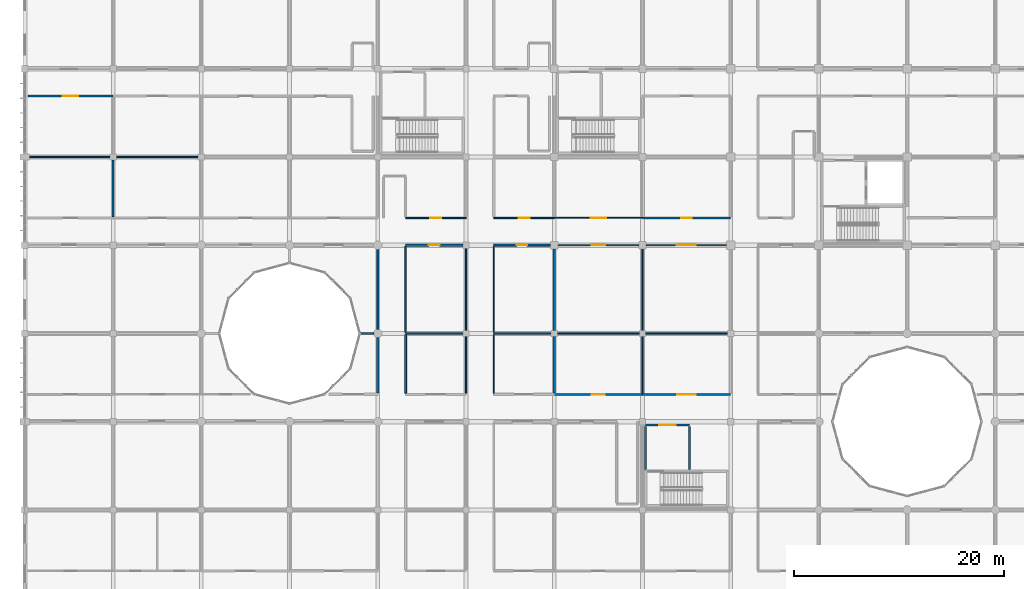
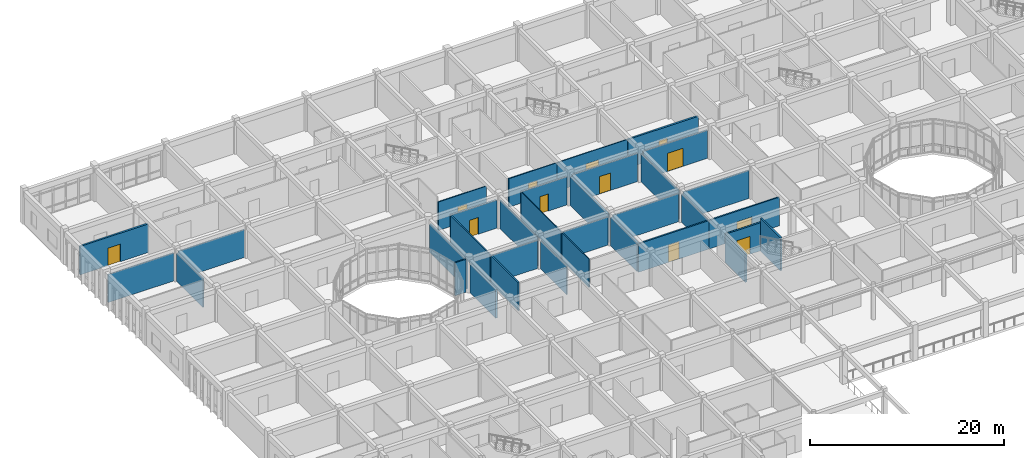
# One storey, part 108 of 144: 34 walls, 12 doors, 12 openings.
"""IFC4 building model written with IfcOpenShell, lengths in metres."""

from ifc_helpers import new_model, si_unit, direction, frame, frame_2d, origin, place, context, subcontext, project, spatial, rectangle, extrude, material, layer, layer_set, type_object, element, fill, save


model = new_model("IFC4")

# Units and contexts
model_context = context("Model", 3, precision=1e-05, world=origin(), true_north=direction((0.0, 1.0)))
body_context = subcontext(model_context, "Body", "Model", "MODEL_VIEW")
ifc_project = project(units=[si_unit("LENGTHUNIT", "METRE"), si_unit("AREAUNIT", "SQUARE_METRE"), si_unit("VOLUMEUNIT", "CUBIC_METRE"), si_unit("PLANEANGLEUNIT", "RADIAN"), si_unit("MASSUNIT", "GRAM", prefix="KILO")], contexts=[model_context])

# Site, building, storey
site_placement = place(None, origin())
site = spatial("IfcSite", under=ifc_project, at=site_placement, CompositionType="ELEMENT")
building_placement = place(site_placement, origin())
building = spatial("IfcBuilding", under=site, at=building_placement, Name="Bramfleet General Hospital", CompositionType="ELEMENT")
storey_placement = place(building_placement, frame((0.0, 0.0, 4.800048828125)))
storey = spatial("IfcBuildingStorey", under=building, at=storey_placement, Name="L01", CompositionType="ELEMENT", Elevation=4.800048828125)

# Wall, opening, door
ifc_material_1 = material(Name="Concrete C35/45", Category="concrete")
ifc_layer_1 = layer(ifc_material_1, 0.219970703125, Name="WT-IW-01")
ifc_layer_set_1 = layer_set([ifc_layer_1], Name="Concrete C35/45")
wall_type_1 = type_object("IfcWallType", Name="WT-IW-01", PredefinedType="PARTITIONING", material=ifc_layer_set_1)
wall_1_placement = place(storey_placement, frame((58.800048828125, 95.0, 0.0), z_axis=(0.0, 0.0, 1.0), x_axis=(1.0, 0.0, 0.0)))
wall_1 = element("IfcWall", 1, at=wall_1_placement, inside=storey, type_object=wall_type_1, Name="L01 Interior Partition IW-L01-1501", PredefinedType="PARTITIONING", context=body_context, shape_type="SweptSolid", body=[
    extrude(rectangle(XDim=8.39990234375, YDim=0.219970703125, at=frame_2d((4.199951171875, 0.0))), origin(), (0.0, 0.0, 1.0), 3.58984375),
])
opening_1_placement = place(wall_1_placement, frame((3.68994140625, 0.0, 0.0)))
opening_1 = element("IfcOpeningElement", 2, at=opening_1_placement, cuts=wall_1, Name="Opening D0725", PredefinedType="OPENING", context=body_context, shape_type="SweptSolid", body=[
    extrude(rectangle(XDim=1.02001953125, YDim=2.1201171875, at=frame_2d((0.510009765625, 1.06005859375))), frame((0.0, 0.119873046875, 0.0), z_axis=(0.0, -1.0, 0.0), x_axis=(1.0, 0.0, 0.0)), (0.0, 0.0, 1.0), 0.239990234375),
])
ifc_material_2 = material(Name="Stainless steel and acoustic timber leaf", Category="steel")
door_type_1 = type_object("IfcDoorType", Name="DR-D-21", OperationType="NOTDEFINED", PredefinedType="DOOR", material=ifc_material_2)
door_1_placement = place(opening_1_placement, origin())
door_1 = element("IfcDoor", 3, at=door_1_placement, inside=storey, type_object=door_type_1, Name="Pathology and Clinical Laboratory L01-0711A Door D0725", OperationType="SINGLE_SWING_RIGHT", OverallHeight=2.1201171875, OverallWidth=1.02001953125, PredefinedType="DOOR", context=body_context, shape_type="SweptSolid", body=[
    extrude(rectangle(XDim=1.02001953125, YDim=2.1201171875, at=frame_2d((0.510009765625, 1.06005859375))), frame((0.0, 0.02490234375, 0.0), z_axis=(0.0, -1.0, 0.0), x_axis=(1.0, 0.0, 0.0)), (0.0, 0.0, 1.0), 0.050048828125),
])
fill(opening_1, door_1)

wall_2_placement = place(storey_placement, frame((0.280029296875, 106.60009765625, 0.0), z_axis=(0.0, 0.0, 1.0), x_axis=(1.0, 0.0, 0.0)))
wall_2 = element("IfcWall", 4, at=wall_2_placement, inside=storey, type_object=wall_type_1, Name="L01 Interior Partition IW-L01-1537", PredefinedType="PARTITIONING", context=body_context, shape_type="SweptSolid", body=[
    extrude(rectangle(XDim=8.119873046875, YDim=0.219970703125, at=frame_2d((4.06005859375, 0.0))), origin(), (0.0, 0.0, 1.0), 3.58984375),
])
opening_2_placement = place(wall_2_placement, frame((3.320068359375, 0.0, 0.0)))
opening_2 = element("IfcOpeningElement", 5, at=opening_2_placement, cuts=wall_2, Name="Opening D0624", PredefinedType="OPENING", context=body_context, shape_type="SweptSolid", body=[
    extrude(rectangle(XDim=1.47998046875, YDim=2.219970703125, at=frame_2d((0.739990234375, 1.10986328125))), frame((0.0, 0.119873046875, 0.0), z_axis=(0.0, -1.0, 0.0), x_axis=(1.0, 0.0, 0.0)), (0.0, 0.0, 1.0), 0.239990234375),
])
door_type_2 = type_object("IfcDoorType", Name="DR-D-16", OperationType="NOTDEFINED", PredefinedType="DOOR", material=ifc_material_2)
door_2_placement = place(opening_2_placement, origin())
door_2 = element("IfcDoor", 6, at=door_2_placement, inside=storey, type_object=door_type_2, Name="Endoscopy and Day Surgery Procedure Room L01-0012 Door D0624", OperationType="SINGLE_SWING_LEFT", OverallHeight=2.219970703125, OverallWidth=1.47998046875, PredefinedType="DOOR", context=body_context, shape_type="SweptSolid", body=[
    extrude(rectangle(XDim=1.47998046875, YDim=2.219970703125, at=frame_2d((0.739990234375, 1.10986328125))), frame((0.0, 0.02490234375, 0.0), z_axis=(0.0, -1.0, 0.0), x_axis=(1.0, 0.0, 0.0)), (0.0, 0.0, 1.0), 0.050048828125),
])
fill(opening_2, door_2)

# Walls
wall_3_placement = place(storey_placement, frame((50.39990234375, 78.31494140625, 0.0), z_axis=(0.0, 0.0, 1.0), x_axis=(0.0, 1.0, 0.0)))
element("IfcWall", 7, at=wall_3_placement, inside=storey, type_object=wall_type_1, Name="L01 Interior Partition IW-L01-1753", PredefinedType="PARTITIONING", context=body_context, shape_type="SweptSolid", body=[
    extrude(rectangle(XDim=5.39013671875, YDim=0.219970703125, at=frame_2d((2.695068359375, 0.0))), origin(), (0.0, 0.0, 1.0), 3.58984375),
])
ifc_layer_2 = layer(ifc_material_1, 0.205078125, Name="WT-IW-02")
ifc_layer_set_2 = layer_set([ifc_layer_2], Name="Concrete C35/45")
wall_type_2 = type_object("IfcWallType", Name="WT-IW-02", PredefinedType="PARTITIONING", material=ifc_layer_set_2)
wall_4_placement = place(storey_placement, frame((63.280029296875, 71.0400390625, 0.0), z_axis=(0.0, 0.0, 1.0), x_axis=(0.0, 1.0, 0.0)))
element("IfcWall", 8, at=wall_4_placement, inside=storey, type_object=wall_type_2, Name="L01 C13 Lobby East Shaft Wall", PredefinedType="PARTITIONING", context=body_context, shape_type="SweptSolid", body=[
    extrude(rectangle(XDim=4.119873046875, YDim=0.205078125, at=frame_2d((2.06005859375, 0.0))), origin(), (0.0, 0.0, 1.0), 4.139892578125),
])
wall_5_placement = place(storey_placement, frame((59.10009765625, 71.0400390625, 0.0), z_axis=(0.0, 0.0, 1.0), x_axis=(0.0, 1.0, 0.0)))
element("IfcWall", 9, at=wall_5_placement, inside=storey, type_object=wall_type_2, Name="L01 C13 Lobby West Compartment Wall", PredefinedType="PARTITIONING", context=body_context, shape_type="SweptSolid", body=[
    extrude(rectangle(XDim=4.119873046875, YDim=0.205078125, at=frame_2d((2.06005859375, 0.0))), origin(), (0.0, 0.0, 1.0), 3.58984375),
])

# Wall, opening, door
wall_6_placement = place(storey_placement, frame((59.10009765625, 75.280029296875, 0.0), z_axis=(0.0, 0.0, 1.0), x_axis=(1.0, 0.0, 0.0)))
wall_6 = element("IfcWall", 10, at=wall_6_placement, inside=storey, type_object=wall_type_2, Name="L01 C13 Lobby North Compartment Wall", PredefinedType="PARTITIONING", context=body_context, shape_type="SweptSolid", body=[
    extrude(rectangle(XDim=4.179931640625, YDim=0.205078125, at=frame_2d((2.08984375, 0.0))), origin(), (0.0, 0.0, 1.0), 3.5400390625),
])
opening_3_placement = place(wall_6_placement, frame((1.2900390625, 0.0, 0.0)))
opening_3 = element("IfcOpeningElement", 11, at=opening_3_placement, cuts=wall_6, Name="Opening D0170", PredefinedType="OPENING", context=body_context, shape_type="SweptSolid", body=[
    extrude(rectangle(XDim=1.60009765625, YDim=2.25, at=frame_2d((0.800048828125, 1.125))), frame((0.0, 0.112548828125, 0.0), z_axis=(0.0, -1.0, 0.0), x_axis=(1.0, 0.0, 0.0)), (0.0, 0.0, 1.0), 0.22509765625),
])
door_type_3 = type_object("IfcDoorType", Name="DR-D-04", OperationType="NOTDEFINED", PredefinedType="DOOR", material=ifc_material_2)
door_3_placement = place(opening_3_placement, origin())
door_3 = element("IfcDoor", 12, at=door_3_placement, inside=storey, type_object=door_type_3, Name="L01 C13 Lobby Fire Door D0170", OperationType="DOUBLE_SWING_LEFT", OverallHeight=2.25, OverallWidth=1.60009765625, PredefinedType="DOOR", context=body_context, shape_type="SweptSolid", body=[
    extrude(rectangle(XDim=1.60009765625, YDim=2.25, at=frame_2d((0.800048828125, 1.125))), frame((0.0, 0.02490234375, 0.0), z_axis=(0.0, -1.0, 0.0), x_axis=(1.0, 0.0, 0.0)), (0.0, 0.0, 1.0), 0.050048828125),
])
fill(opening_3, door_3)

wall_7_placement = place(storey_placement, frame((36.25, 92.39990234375, 0.0), z_axis=(0.0, 0.0, 1.0), x_axis=(1.0, 0.0, 0.0)))
wall_7 = element("IfcWall", 13, at=wall_7_placement, inside=storey, type_object=wall_type_2, Name="L01 Interior Partition IW-L01-1478", PredefinedType="PARTITIONING", context=body_context, shape_type="SweptSolid", body=[
    extrude(rectangle(XDim=5.455078125, YDim=0.205078125, at=frame_2d((2.7275390625, 0.0))), origin(), (0.0, 0.0, 1.0), 3.5400390625),
])
opening_4_placement = place(wall_7_placement, frame((2.217529296875, 0.0, 0.0)))
opening_4 = element("IfcOpeningElement", 14, at=opening_4_placement, cuts=wall_7, Name="Opening D0693", PredefinedType="OPENING", context=body_context, shape_type="SweptSolid", body=[
    extrude(rectangle(XDim=1.02001953125, YDim=2.1201171875, at=frame_2d((0.510009765625, 1.06005859375))), frame((0.0, 0.112548828125, 0.0), z_axis=(0.0, -1.0, 0.0), x_axis=(1.0, 0.0, 0.0)), (0.0, 0.0, 1.0), 0.22509765625),
])
door_4_placement = place(opening_4_placement, origin())
door_4 = element("IfcDoor", 15, at=door_4_placement, inside=storey, type_object=door_type_1, Name="Endoscopy and Day Surgery Procedure Room L01-0410 Door D0693", OperationType="SINGLE_SWING_RIGHT", OverallHeight=2.1201171875, OverallWidth=1.02001953125, PredefinedType="DOOR", context=body_context, shape_type="SweptSolid", body=[
    extrude(rectangle(XDim=1.02001953125, YDim=2.1201171875, at=frame_2d((0.510009765625, 1.06005859375))), frame((0.0, 0.02490234375, 0.0), z_axis=(0.0, -1.0, 0.0), x_axis=(1.0, 0.0, 0.0)), (0.0, 0.0, 1.0), 0.050048828125),
])
fill(opening_4, door_4)

# Walls
wall_8_placement = place(storey_placement, frame((33.60009765625, 78.31494140625, 0.0), z_axis=(0.0, 0.0, 1.0), x_axis=(0.0, 1.0, 0.0)))
element("IfcWall", 16, at=wall_8_placement, inside=storey, type_object=wall_type_2, Name="L01 Interior Partition IW-L01-1682", PredefinedType="PARTITIONING", context=body_context, shape_type="SweptSolid", body=[
    extrude(rectangle(XDim=5.2900390625, YDim=0.205078125, at=frame_2d((2.64501953125, 0.0))), origin(), (0.0, 0.0, 1.0), 3.58984375),
])
wall_9_placement = place(storey_placement, frame((50.39990234375, 84.294921875, 0.0), z_axis=(0.0, 0.0, 1.0), x_axis=(0.0, 1.0, 0.0)))
element("IfcWall", 17, at=wall_9_placement, inside=storey, type_object=wall_type_2, Name="L01 Interior Partition IW-L01-1754", PredefinedType="PARTITIONING", context=body_context, shape_type="SweptSolid", body=[
    extrude(rectangle(XDim=7.760009765625, YDim=0.205078125, at=frame_2d((3.8798828125, 0.0))), origin(), (0.0, 0.0, 1.0), 3.58984375),
])

# Wall, opening, door
ifc_layer_3 = layer(ifc_material_1, 0.18994140625, Name="WT-IW-03")
ifc_layer_set_3 = layer_set([ifc_layer_3], Name="Concrete C35/45")
wall_type_3 = type_object("IfcWallType", Name="WT-IW-03", PredefinedType="PARTITIONING", material=ifc_layer_set_3)
wall_10_placement = place(storey_placement, frame((44.64990234375, 92.39990234375, 0.0), z_axis=(0.0, 0.0, 1.0), x_axis=(1.0, 0.0, 0.0)))
wall_10 = element("IfcWall", 18, at=wall_10_placement, inside=storey, type_object=wall_type_3, Name="L01 Interior Partition IW-L01-1479", PredefinedType="PARTITIONING", context=body_context, shape_type="SweptSolid", body=[
    extrude(rectangle(XDim=5.405029296875, YDim=0.18994140625, at=frame_2d((2.70263671875, 0.0))), origin(), (0.0, 0.0, 1.0), 3.5400390625),
])
opening_5_placement = place(wall_10_placement, frame((2.202392578125, 0.0, 0.0)))
opening_5 = element("IfcOpeningElement", 19, at=opening_5_placement, cuts=wall_10, Name="Opening D0712", PredefinedType="OPENING", context=body_context, shape_type="SweptSolid", body=[
    extrude(rectangle(XDim=1.0, YDim=2.14990234375, at=frame_2d((0.5, 1.074951171875))), frame((0.0, 0.10498046875, 0.0), z_axis=(0.0, -1.0, 0.0), x_axis=(1.0, 0.0, 0.0)), (0.0, 0.0, 1.0), 0.2099609375),
])
door_type_4 = type_object("IfcDoorType", Name="DR-D-08", OperationType="NOTDEFINED", PredefinedType="DOOR", material=ifc_material_2)
door_5_placement = place(opening_5_placement, origin())
door_5 = element("IfcDoor", 20, at=door_5_placement, inside=storey, type_object=door_type_4, Name="Endoscopy and Day Surgery Procedure Room L01-0510 Door D0712", OperationType="SINGLE_SWING_LEFT", OverallHeight=2.14990234375, OverallWidth=1.0, PredefinedType="DOOR", context=body_context, shape_type="SweptSolid", body=[
    extrude(rectangle(XDim=1.0, YDim=2.14990234375, at=frame_2d((0.5, 1.074951171875))), frame((0.0, 0.02490234375, 0.0), z_axis=(0.0, -1.0, 0.0), x_axis=(1.0, 0.0, 0.0)), (0.0, 0.0, 1.0), 0.050048828125),
])
fill(opening_5, door_5)

# Wall
wall_11_placement = place(storey_placement, frame((33.60009765625, 84.39501953125, 0.0), z_axis=(0.0, 0.0, 1.0), x_axis=(0.0, 1.0, 0.0)))
element("IfcWall", 21, at=wall_11_placement, inside=storey, type_object=wall_type_3, Name="L01 Interior Partition IW-L01-1683", PredefinedType="PARTITIONING", context=body_context, shape_type="SweptSolid", body=[
    extrude(rectangle(XDim=7.60986328125, YDim=0.18994140625, at=frame_2d((3.804931640625, 0.0))), origin(), (0.0, 0.0, 1.0), 3.58984375),
])

# Wall, opening, door
ifc_layer_4 = layer(ifc_material_1, 0.179931640625, Name="WT-IW-04")
ifc_layer_set_4 = layer_set([ifc_layer_4], Name="Concrete C35/45")
wall_type_4 = type_object("IfcWallType", Name="WT-IW-04", PredefinedType="PARTITIONING", material=ifc_layer_set_4)
wall_12_placement = place(storey_placement, frame((50.39990234375, 78.199951171875, 0.0), z_axis=(0.0, 0.0, 1.0), x_axis=(1.0, 0.0, 0.0)))
wall_12 = element("IfcWall", 22, at=wall_12_placement, inside=storey, type_object=wall_type_4, Name="L01 Interior Partition IW-L01-1444", PredefinedType="PARTITIONING", context=body_context, shape_type="SweptSolid", body=[
    extrude(rectangle(XDim=8.400146484375, YDim=0.179931640625, at=frame_2d((4.2001953125, 0.0))), origin(), (0.0, 0.0, 1.0), 3.58984375),
])
opening_6_placement = place(wall_12_placement, frame((3.574951171875, 0.0, 0.0)))
opening_6 = element("IfcOpeningElement", 23, at=opening_6_placement, cuts=wall_12, Name="Opening D0718", PredefinedType="OPENING", context=body_context, shape_type="SweptSolid", body=[
    extrude(rectangle(XDim=1.25, YDim=2.199951171875, at=frame_2d((0.625, 1.10009765625))), frame((0.0, 0.099853515625, 0.0), z_axis=(0.0, -1.0, 0.0), x_axis=(1.0, 0.0, 0.0)), (0.0, 0.0, 1.0), 0.199951171875),
])
door_type_5 = type_object("IfcDoorType", Name="DR-D-14", OperationType="NOTDEFINED", PredefinedType="DOOR", material=ifc_material_2)
door_6_placement = place(opening_6_placement, origin())
door_6 = element("IfcDoor", 24, at=door_6_placement, inside=storey, type_object=door_type_5, Name="Endoscopy and Day Surgery Procedure Room L01-0609 Door D0718", OperationType="SINGLE_SWING_LEFT", OverallHeight=2.199951171875, OverallWidth=1.25, PredefinedType="DOOR", context=body_context, shape_type="SweptSolid", body=[
    extrude(rectangle(XDim=1.25, YDim=2.199951171875, at=frame_2d((0.625, 1.10009765625))), frame((0.0, 0.02490234375, 0.0), z_axis=(0.0, -1.0, 0.0), x_axis=(1.0, 0.0, 0.0)), (0.0, 0.0, 1.0), 0.050048828125),
])
fill(opening_6, door_6)

wall_13_placement = place(storey_placement, frame((50.7451171875, 92.39990234375, 0.0), z_axis=(0.0, 0.0, 1.0), x_axis=(1.0, 0.0, 0.0)))
wall_13 = element("IfcWall", 25, at=wall_13_placement, inside=storey, type_object=wall_type_4, Name="L01 Interior Partition IW-L01-1480", PredefinedType="PARTITIONING", context=body_context, shape_type="SweptSolid", body=[
    extrude(rectangle(XDim=7.7099609375, YDim=0.179931640625, at=frame_2d((3.85498046875, 0.0))), origin(), (0.0, 0.0, 1.0), 3.5400390625),
])
opening_7_placement = place(wall_13_placement, frame((3.205078125, 0.0, 0.0)))
opening_7 = element("IfcOpeningElement", 26, at=opening_7_placement, cuts=wall_13, Name="Opening D0719", PredefinedType="OPENING", context=body_context, shape_type="SweptSolid", body=[
    extrude(rectangle(XDim=1.300048828125, YDim=2.199951171875, at=frame_2d((0.64990234375, 1.10009765625))), frame((0.0, 0.099853515625, 0.0), z_axis=(0.0, -1.0, 0.0), x_axis=(1.0, 0.0, 0.0)), (0.0, 0.0, 1.0), 0.199951171875),
])
door_type_6 = type_object("IfcDoorType", Name="DR-D-15", OperationType="NOTDEFINED", PredefinedType="DOOR", material=ifc_material_2)
door_7_placement = place(opening_7_placement, origin())
door_7 = element("IfcDoor", 27, at=door_7_placement, inside=storey, type_object=door_type_6, Name="Endoscopy and Day Surgery Procedure Room L01-0610 Door D0719", OperationType="SINGLE_SWING_RIGHT", OverallHeight=2.199951171875, OverallWidth=1.300048828125, PredefinedType="DOOR", context=body_context, shape_type="SweptSolid", body=[
    extrude(rectangle(XDim=1.300048828125, YDim=2.199951171875, at=frame_2d((0.64990234375, 1.10009765625))), frame((0.0, 0.02490234375, 0.0), z_axis=(0.0, -1.0, 0.0), x_axis=(1.0, 0.0, 0.0)), (0.0, 0.0, 1.0), 0.050048828125),
])
fill(opening_7, door_7)

ifc_material_3 = material(Name="Gypsum plasterboard on acoustic steel studs", Category="steel")
ifc_layer_5 = layer(ifc_material_3, 0.169921875, Name="WT-IW-05")
ifc_layer_set_5 = layer_set([ifc_layer_5], Name="Gypsum plasterboard on acoustic steel studs")
wall_type_5 = type_object("IfcWallType", Name="WT-IW-05", PredefinedType="PARTITIONING", material=ifc_layer_set_5)
wall_14_placement = place(storey_placement, frame((58.800048828125, 78.199951171875, 0.0), z_axis=(0.0, 0.0, 1.0), x_axis=(1.0, 0.0, 0.0)))
wall_14 = element("IfcWall", 28, at=wall_14_placement, inside=storey, type_object=wall_type_5, Name="L01 Interior Partition IW-L01-1445", PredefinedType="PARTITIONING", context=body_context, shape_type="SweptSolid", body=[
    extrude(rectangle(XDim=8.39990234375, YDim=0.169921875, at=frame_2d((4.199951171875, 0.0))), origin(), (0.0, 0.0, 1.0), 3.58984375),
])
opening_8_placement = place(wall_14_placement, frame((3.330078125, 0.0, 0.0)))
opening_8 = element("IfcOpeningElement", 29, at=opening_8_placement, cuts=wall_14, Name="Opening D0723", PredefinedType="OPENING", context=body_context, shape_type="SweptSolid", body=[
    extrude(rectangle(XDim=1.739990234375, YDim=2.239990234375, at=frame_2d((0.8701171875, 1.1201171875))), frame((0.0, 0.094970703125, 0.0), z_axis=(0.0, -1.0, 0.0), x_axis=(1.0, 0.0, 0.0)), (0.0, 0.0, 1.0), 0.18994140625),
])
door_type_7 = type_object("IfcDoorType", Name="DR-D-19", OperationType="NOTDEFINED", PredefinedType="DOOR", material=ifc_material_2)
door_8_placement = place(opening_8_placement, origin())
door_8 = element("IfcDoor", 30, at=door_8_placement, inside=storey, type_object=door_type_7, Name="Pathology and Clinical Laboratory L01-0709A Door D0723", OperationType="DOUBLE_SWING_RIGHT", OverallHeight=2.239990234375, OverallWidth=1.739990234375, PredefinedType="DOOR", context=body_context, shape_type="SweptSolid", body=[
    extrude(rectangle(XDim=1.739990234375, YDim=2.239990234375, at=frame_2d((0.8701171875, 1.1201171875))), frame((0.0, 0.02490234375, 0.0), z_axis=(0.0, -1.0, 0.0), x_axis=(1.0, 0.0, 0.0)), (0.0, 0.0, 1.0), 0.050048828125),
])
fill(opening_8, door_8)

wall_15_placement = place(storey_placement, frame((59.14501953125, 92.39990234375, 0.0), z_axis=(0.0, 0.0, 1.0), x_axis=(1.0, 0.0, 0.0)))
wall_15 = element("IfcWall", 31, at=wall_15_placement, inside=storey, type_object=wall_type_5, Name="L01 Interior Partition IW-L01-1481", PredefinedType="PARTITIONING", context=body_context, shape_type="SweptSolid", body=[
    extrude(rectangle(XDim=7.659912109375, YDim=0.169921875, at=frame_2d((3.830078125, 0.0))), origin(), (0.0, 0.0, 1.0), 3.5400390625),
])
opening_9_placement = place(wall_15_placement, frame((2.909912109375, 0.0, 0.0)))
opening_9 = element("IfcOpeningElement", 32, at=opening_9_placement, cuts=wall_15, Name="Opening D0724", PredefinedType="OPENING", context=body_context, shape_type="SweptSolid", body=[
    extrude(rectangle(XDim=1.840087890625, YDim=2.280029296875, at=frame_2d((0.919921875, 1.14013671875))), frame((0.0, 0.094970703125, 0.0), z_axis=(0.0, -1.0, 0.0), x_axis=(1.0, 0.0, 0.0)), (0.0, 0.0, 1.0), 0.18994140625),
])
door_type_8 = type_object("IfcDoorType", Name="DR-D-20", OperationType="NOTDEFINED", PredefinedType="DOOR", material=ifc_material_2)
door_9_placement = place(opening_9_placement, origin())
door_9 = element("IfcDoor", 33, at=door_9_placement, inside=storey, type_object=door_type_8, Name="Pathology and Clinical Laboratory L01-0710A Door D0724", OperationType="DOUBLE_SWING_LEFT", OverallHeight=2.280029296875, OverallWidth=1.840087890625, PredefinedType="DOOR", context=body_context, shape_type="SweptSolid", body=[
    extrude(rectangle(XDim=1.840087890625, YDim=2.280029296875, at=frame_2d((0.919921875, 1.14013671875))), frame((0.0, 0.02490234375, 0.0), z_axis=(0.0, -1.0, 0.0), x_axis=(1.0, 0.0, 0.0)), (0.0, 0.0, 1.0), 0.050048828125),
])
fill(opening_9, door_9)

# Walls
wall_16_placement = place(storey_placement, frame((8.39990234375, 95.114990234375, 0.0), z_axis=(0.0, 0.0, 1.0), x_axis=(0.0, 1.0, 0.0)))
element("IfcWall", 34, at=wall_16_placement, inside=storey, type_object=wall_type_5, Name="L01 Interior Partition IW-L01-1601", PredefinedType="PARTITIONING", context=body_context, shape_type="SweptSolid", body=[
    extrude(rectangle(XDim=5.389892578125, YDim=0.169921875, at=frame_2d((2.69482421875, 0.0))), origin(), (0.0, 0.0, 1.0), 3.58984375),
])
wall_17_placement = place(storey_placement, frame((36.25, 78.31494140625, 0.0), z_axis=(0.0, 0.0, 1.0), x_axis=(0.0, 1.0, 0.0)))
element("IfcWall", 35, at=wall_17_placement, inside=storey, type_object=wall_type_5, Name="L01 Interior Partition IW-L01-1697", PredefinedType="PARTITIONING", context=body_context, shape_type="SweptSolid", body=[
    extrude(rectangle(XDim=5.570068359375, YDim=0.169921875, at=frame_2d((2.78515625, 0.0))), origin(), (0.0, 0.0, 1.0), 3.5400390625),
])
ifc_layer_6 = layer(ifc_material_3, 0.159912109375, Name="WT-IW-06")
ifc_layer_set_6 = layer_set([ifc_layer_6], Name="Gypsum plasterboard on acoustic steel studs")
wall_type_6 = type_object("IfcWallType", Name="WT-IW-06", PredefinedType="PARTITIONING", material=ifc_layer_set_6)
wall_18_placement = place(storey_placement, frame((31.89990234375, 84.0, 0.0), z_axis=(0.0, 0.0, 1.0), x_axis=(1.0, 0.0, 0.0)))
element("IfcWall", 36, at=wall_18_placement, inside=storey, type_object=wall_type_6, Name="L01 Interior Partition IW-L01-1458", PredefinedType="PARTITIONING", context=body_context, shape_type="SweptSolid", body=[
    extrude(rectangle(XDim=1.30517578125, YDim=0.159912109375, at=frame_2d((0.652587890625, 0.0))), origin(), (0.0, 0.0, 1.0), 4.139892578125),
])
wall_19_placement = place(storey_placement, frame((36.25, 84.114990234375, 0.0), z_axis=(0.0, 0.0, 1.0), x_axis=(0.0, 1.0, 0.0)))
element("IfcWall", 37, at=wall_19_placement, inside=storey, type_object=wall_type_6, Name="L01 Interior Partition IW-L01-1698", PredefinedType="PARTITIONING", context=body_context, shape_type="SweptSolid", body=[
    extrude(rectangle(XDim=8.169921875, YDim=0.159912109375, at=frame_2d((4.0849609375, 0.0))), origin(), (0.0, 0.0, 1.0), 3.5400390625),
])
ifc_layer_7 = layer(ifc_material_3, 0.14990234375, Name="WT-IW-07")
ifc_layer_set_7 = layer_set([ifc_layer_7], Name="Gypsum plasterboard on acoustic steel studs")
wall_type_7 = type_object("IfcWallType", Name="WT-IW-07", PredefinedType="PARTITIONING", material=ifc_layer_set_7)
wall_20_placement = place(storey_placement, frame((36.25, 84.0, 0.0), z_axis=(0.0, 0.0, 1.0), x_axis=(1.0, 0.0, 0.0)))
element("IfcWall", 38, at=wall_20_placement, inside=storey, type_object=wall_type_7, Name="L01 Interior Partition IW-L01-1459", PredefinedType="PARTITIONING", context=body_context, shape_type="SweptSolid", body=[
    extrude(rectangle(XDim=5.455078125, YDim=0.14990234375, at=frame_2d((2.7275390625, 0.0))), origin(), (0.0, 0.0, 1.0), 3.5400390625),
])
ifc_layer_8 = layer(ifc_material_3, 0.139892578125, Name="WT-IW-08")
ifc_layer_set_8 = layer_set([ifc_layer_8], Name="Gypsum plasterboard on acoustic steel studs")
wall_type_8 = type_object("IfcWallType", Name="WT-IW-08", PredefinedType="PARTITIONING", material=ifc_layer_set_8)
wall_21_placement = place(storey_placement, frame((44.64990234375, 84.0, 0.0), z_axis=(0.0, 0.0, 1.0), x_axis=(1.0, 0.0, 0.0)))
element("IfcWall", 39, at=wall_21_placement, inside=storey, type_object=wall_type_8, Name="L01 Interior Partition IW-L01-1460", PredefinedType="PARTITIONING", context=body_context, shape_type="SweptSolid", body=[
    extrude(rectangle(XDim=5.455078125, YDim=0.139892578125, at=frame_2d((2.7275390625, 0.0))), origin(), (0.0, 0.0, 1.0), 3.5400390625),
])
ifc_layer_9 = layer(ifc_material_3, 0.1298828125, Name="WT-IW-09")
ifc_layer_set_9 = layer_set([ifc_layer_9], Name="Gypsum plasterboard on acoustic steel studs")
wall_type_9 = type_object("IfcWallType", Name="WT-IW-09", PredefinedType="PARTITIONING", material=ifc_layer_set_9)
wall_22_placement = place(storey_placement, frame((50.695068359375, 84.0, 0.0), z_axis=(0.0, 0.0, 1.0), x_axis=(1.0, 0.0, 0.0)))
element("IfcWall", 40, at=wall_22_placement, inside=storey, type_object=wall_type_9, Name="L01 Interior Partition IW-L01-1461", PredefinedType="PARTITIONING", context=body_context, shape_type="SweptSolid", body=[
    extrude(rectangle(XDim=7.809814453125, YDim=0.1298828125, at=frame_2d((3.90478515625, 0.0))), origin(), (0.0, 0.0, 1.0), 3.5400390625),
])
ifc_layer_10 = layer(ifc_material_3, 0.1201171875, Name="WT-IW-10")
ifc_layer_set_10 = layer_set([ifc_layer_10], Name="Gypsum plasterboard on acoustic steel studs")
wall_type_10 = type_object("IfcWallType", Name="WT-IW-10", PredefinedType="PARTITIONING", material=ifc_layer_set_10)
wall_23_placement = place(storey_placement, frame((59.094970703125, 84.0, 0.0), z_axis=(0.0, 0.0, 1.0), x_axis=(1.0, 0.0, 0.0)))
element("IfcWall", 41, at=wall_23_placement, inside=storey, type_object=wall_type_10, Name="L01 Interior Partition IW-L01-1462", PredefinedType="PARTITIONING", context=body_context, shape_type="SweptSolid", body=[
    extrude(rectangle(XDim=7.81005859375, YDim=0.1201171875, at=frame_2d((3.905029296875, 0.0))), origin(), (0.0, 0.0, 1.0), 3.5400390625),
])

# Wall, opening, door
wall_24_placement = place(storey_placement, frame((36.25, 95.0, 0.0), z_axis=(0.0, 0.0, 1.0), x_axis=(1.0, 0.0, 0.0)))
wall_24 = element("IfcWall", 42, at=wall_24_placement, inside=storey, type_object=wall_type_10, Name="L01 Interior Partition IW-L01-1498", PredefinedType="PARTITIONING", context=body_context, shape_type="SweptSolid", body=[
    extrude(rectangle(XDim=5.75, YDim=0.1201171875, at=frame_2d((2.875, 0.0))), origin(), (0.0, 0.0, 1.0), 3.58984375),
])
opening_10_placement = place(wall_24_placement, frame((2.3349609375, 0.0, 0.0)))
opening_10 = element("IfcOpeningElement", 43, at=opening_10_placement, cuts=wall_24, Name="Opening D0694", PredefinedType="OPENING", context=body_context, shape_type="SweptSolid", body=[
    extrude(rectangle(XDim=1.080078125, YDim=2.1201171875, at=frame_2d((0.5400390625, 1.06005859375))), frame((0.0, 0.070068359375, 0.0), z_axis=(0.0, -1.0, 0.0), x_axis=(1.0, 0.0, 0.0)), (0.0, 0.0, 1.0), 0.14013671875),
])
door_type_9 = type_object("IfcDoorType", Name="DR-D-22", OperationType="NOTDEFINED", PredefinedType="DOOR", material=ifc_material_2)
door_10_placement = place(opening_10_placement, origin())
door_10 = element("IfcDoor", 44, at=door_10_placement, inside=storey, type_object=door_type_9, Name="Endoscopy and Day Surgery Procedure Room L01-0411 Door D0694", OperationType="SINGLE_SWING_LEFT", OverallHeight=2.1201171875, OverallWidth=1.080078125, PredefinedType="DOOR", context=body_context, shape_type="SweptSolid", body=[
    extrude(rectangle(XDim=1.080078125, YDim=2.1201171875, at=frame_2d((0.5400390625, 1.06005859375))), frame((0.0, 0.02490234375, 0.0), z_axis=(0.0, -1.0, 0.0), x_axis=(1.0, 0.0, 0.0)), (0.0, 0.0, 1.0), 0.050048828125),
])
fill(opening_10, door_10)

# Wall
wall_25_placement = place(storey_placement, frame((58.800048828125, 78.31494140625, 0.0), z_axis=(0.0, 0.0, 1.0), x_axis=(0.0, 1.0, 0.0)))
element("IfcWall", 45, at=wall_25_placement, inside=storey, type_object=wall_type_10, Name="L01 Interior Partition IW-L01-1762", PredefinedType="PARTITIONING", context=body_context, shape_type="SweptSolid", body=[
    extrude(rectangle(XDim=5.39013671875, YDim=0.1201171875, at=frame_2d((2.695068359375, 0.0))), origin(), (0.0, 0.0, 1.0), 3.58984375),
])

# Wall, opening, door
ifc_layer_11 = layer(ifc_material_3, 0.112060546875, Name="WT-IW-11")
ifc_layer_set_11 = layer_set([ifc_layer_11], Name="Gypsum plasterboard on acoustic steel studs")
wall_type_11 = type_object("IfcWallType", Name="WT-IW-11", PredefinedType="PARTITIONING", material=ifc_layer_set_11)
wall_26_placement = place(storey_placement, frame((44.64990234375, 95.0, 0.0), z_axis=(0.0, 0.0, 1.0), x_axis=(1.0, 0.0, 0.0)))
wall_26 = element("IfcWall", 46, at=wall_26_placement, inside=storey, type_object=wall_type_11, Name="L01 Interior Partition IW-L01-1499", PredefinedType="PARTITIONING", context=body_context, shape_type="SweptSolid", body=[
    extrude(rectangle(XDim=5.75, YDim=0.112060546875, at=frame_2d((2.875, 0.0))), origin(), (0.0, 0.0, 1.0), 3.58984375),
])
opening_11_placement = place(wall_26_placement, frame((2.35009765625, 0.0, 0.0)))
opening_11 = element("IfcOpeningElement", 47, at=opening_11_placement, cuts=wall_26, Name="Opening D0713", PredefinedType="OPENING", context=body_context, shape_type="SweptSolid", body=[
    extrude(rectangle(XDim=1.050048828125, YDim=2.14990234375, at=frame_2d((0.52490234375, 1.074951171875))), frame((0.0, 0.06591796875, 0.0), z_axis=(0.0, -1.0, 0.0), x_axis=(1.0, 0.0, 0.0)), (0.0, 0.0, 1.0), 0.132080078125),
])
door_type_10 = type_object("IfcDoorType", Name="DR-D-09", OperationType="NOTDEFINED", PredefinedType="DOOR", material=ifc_material_2)
door_11_placement = place(opening_11_placement, origin())
door_11 = element("IfcDoor", 48, at=door_11_placement, inside=storey, type_object=door_type_10, Name="Endoscopy and Day Surgery Procedure Room L01-0511 Door D0713", OperationType="SINGLE_SWING_RIGHT", OverallHeight=2.14990234375, OverallWidth=1.050048828125, PredefinedType="DOOR", context=body_context, shape_type="SweptSolid", body=[
    extrude(rectangle(XDim=1.050048828125, YDim=2.14990234375, at=frame_2d((0.52490234375, 1.074951171875))), frame((0.0, 0.02490234375, 0.0), z_axis=(0.0, -1.0, 0.0), x_axis=(1.0, 0.0, 0.0)), (0.0, 0.0, 1.0), 0.050048828125),
])
fill(opening_11, door_11)

# Walls
wall_27_placement = place(storey_placement, frame((0.294921875, 100.800048828125, 0.0), z_axis=(0.0, 0.0, 1.0), x_axis=(1.0, 0.0, 0.0)))
element("IfcWall", 49, at=wall_27_placement, inside=storey, type_object=wall_type_11, Name="L01 Interior Partition IW-L01-1511", PredefinedType="PARTITIONING", context=body_context, shape_type="SweptSolid", body=[
    extrude(rectangle(XDim=7.81005859375, YDim=0.112060546875, at=frame_2d((3.905029296875, 0.0))), origin(), (0.0, 0.0, 1.0), 3.5400390625),
])
wall_28_placement = place(storey_placement, frame((42.0, 78.31494140625, 0.0), z_axis=(0.0, 0.0, 1.0), x_axis=(0.0, 1.0, 0.0)))
element("IfcWall", 50, at=wall_28_placement, inside=storey, type_object=wall_type_11, Name="L01 Interior Partition IW-L01-1715", PredefinedType="PARTITIONING", context=body_context, shape_type="SweptSolid", body=[
    extrude(rectangle(XDim=5.39013671875, YDim=0.112060546875, at=frame_2d((2.695068359375, 0.0))), origin(), (0.0, 0.0, 1.0), 3.58984375),
])
wall_29_placement = place(storey_placement, frame((44.64990234375, 78.31494140625, 0.0), z_axis=(0.0, 0.0, 1.0), x_axis=(0.0, 1.0, 0.0)))
element("IfcWall", 51, at=wall_29_placement, inside=storey, type_object=wall_type_11, Name="L01 Interior Partition IW-L01-1727", PredefinedType="PARTITIONING", context=body_context, shape_type="SweptSolid", body=[
    extrude(rectangle(XDim=5.570068359375, YDim=0.112060546875, at=frame_2d((2.78515625, 0.0))), origin(), (0.0, 0.0, 1.0), 3.5400390625),
])
wall_30_placement = place(storey_placement, frame((58.800048828125, 84.294921875, 0.0), z_axis=(0.0, 0.0, 1.0), x_axis=(0.0, 1.0, 0.0)))
element("IfcWall", 52, at=wall_30_placement, inside=storey, type_object=wall_type_11, Name="L01 Interior Partition IW-L01-1763", PredefinedType="PARTITIONING", context=body_context, shape_type="SweptSolid", body=[
    extrude(rectangle(XDim=7.760009765625, YDim=0.112060546875, at=frame_2d((3.8798828125, 0.0))), origin(), (0.0, 0.0, 1.0), 3.58984375),
])

# Wall, opening, door
ifc_layer_12 = layer(ifc_material_3, 0.10009765625, Name="WT-IW-12")
ifc_layer_set_12 = layer_set([ifc_layer_12], Name="Gypsum plasterboard on acoustic steel studs")
wall_type_12 = type_object("IfcWallType", Name="WT-IW-12", PredefinedType="PARTITIONING", material=ifc_layer_set_12)
wall_31_placement = place(storey_placement, frame((50.39990234375, 95.0, 0.0), z_axis=(0.0, 0.0, 1.0), x_axis=(1.0, 0.0, 0.0)))
wall_31 = element("IfcWall", 53, at=wall_31_placement, inside=storey, type_object=wall_type_12, Name="L01 Interior Partition IW-L01-1500", PredefinedType="PARTITIONING", context=body_context, shape_type="SweptSolid", body=[
    extrude(rectangle(XDim=8.400146484375, YDim=0.10009765625, at=frame_2d((4.2001953125, 0.0))), origin(), (0.0, 0.0, 1.0), 3.58984375),
])
opening_12_placement = place(wall_31_placement, frame((3.4599609375, 0.0, 0.0)))
opening_12 = element("IfcOpeningElement", 54, at=opening_12_placement, cuts=wall_31, Name="Opening D0720", PredefinedType="OPENING", context=body_context, shape_type="SweptSolid", body=[
    extrude(rectangle(XDim=1.47998046875, YDim=2.219970703125, at=frame_2d((0.739990234375, 1.10986328125))), frame((0.0, 0.06005859375, 0.0), z_axis=(0.0, -1.0, 0.0), x_axis=(1.0, 0.0, 0.0)), (0.0, 0.0, 1.0), 0.1201171875),
])
door_12_placement = place(opening_12_placement, origin())
door_12 = element("IfcDoor", 55, at=door_12_placement, inside=storey, type_object=door_type_2, Name="Endoscopy and Day Surgery Procedure Room L01-0611 Door D0720", OperationType="SINGLE_SWING_LEFT", OverallHeight=2.219970703125, OverallWidth=1.47998046875, PredefinedType="DOOR", context=body_context, shape_type="SweptSolid", body=[
    extrude(rectangle(XDim=1.47998046875, YDim=2.219970703125, at=frame_2d((0.739990234375, 1.10986328125))), frame((0.0, 0.02490234375, 0.0), z_axis=(0.0, -1.0, 0.0), x_axis=(1.0, 0.0, 0.0)), (0.0, 0.0, 1.0), 0.050048828125),
])
fill(opening_12, door_12)

# Walls
wall_32_placement = place(storey_placement, frame((8.695068359375, 100.800048828125, 0.0), z_axis=(0.0, 0.0, 1.0), x_axis=(1.0, 0.0, 0.0)))
element("IfcWall", 56, at=wall_32_placement, inside=storey, type_object=wall_type_12, Name="L01 Interior Partition IW-L01-1512", PredefinedType="PARTITIONING", context=body_context, shape_type="SweptSolid", body=[
    extrude(rectangle(XDim=7.809814453125, YDim=0.10009765625, at=frame_2d((3.90478515625, 0.0))), origin(), (0.0, 0.0, 1.0), 3.5400390625),
])
wall_33_placement = place(storey_placement, frame((42.0, 84.294921875, 0.0), z_axis=(0.0, 0.0, 1.0), x_axis=(0.0, 1.0, 0.0)))
element("IfcWall", 57, at=wall_33_placement, inside=storey, type_object=wall_type_12, Name="L01 Interior Partition IW-L01-1716", PredefinedType="PARTITIONING", context=body_context, shape_type="SweptSolid", body=[
    extrude(rectangle(XDim=7.81005859375, YDim=0.10009765625, at=frame_2d((3.905029296875, 0.0))), origin(), (0.0, 0.0, 1.0), 3.58984375),
])
wall_34_placement = place(storey_placement, frame((44.64990234375, 84.114990234375, 0.0), z_axis=(0.0, 0.0, 1.0), x_axis=(0.0, 1.0, 0.0)))
element("IfcWall", 58, at=wall_34_placement, inside=storey, type_object=wall_type_12, Name="L01 Interior Partition IW-L01-1728", PredefinedType="PARTITIONING", context=body_context, shape_type="SweptSolid", body=[
    extrude(rectangle(XDim=8.169921875, YDim=0.10009765625, at=frame_2d((4.0849609375, 0.0))), origin(), (0.0, 0.0, 1.0), 3.5400390625),
])

save(model, "model.ifc")
